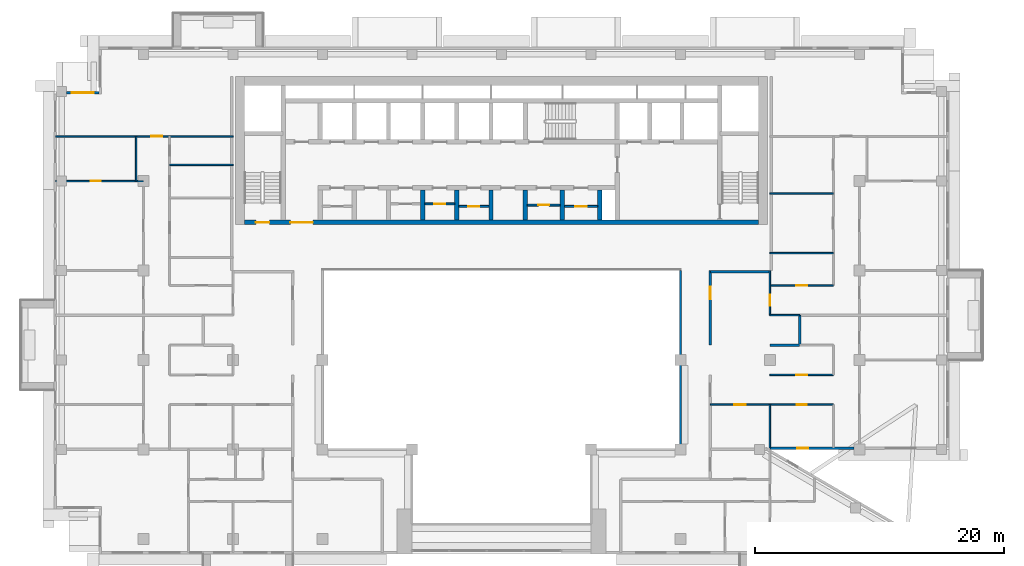
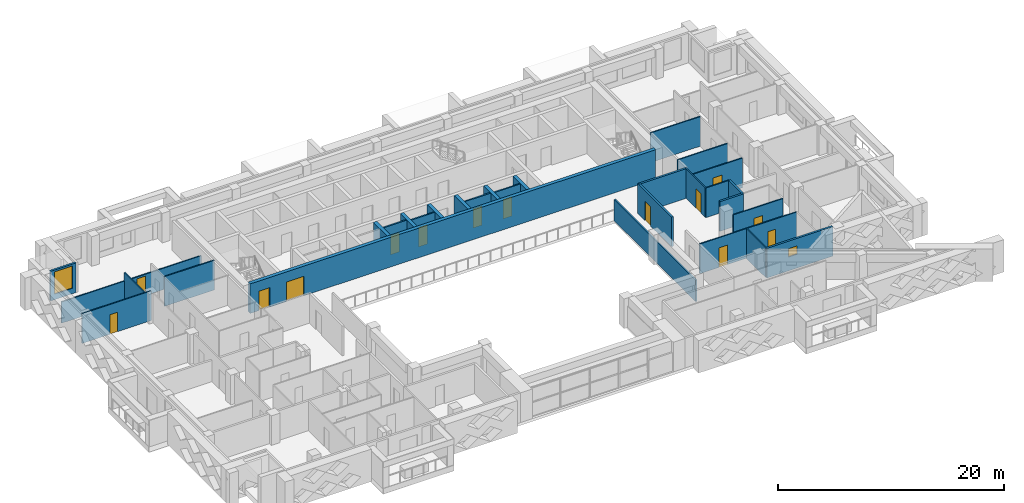
# One storey, part 9 of 20: 30 walls, 14 doors, 2 windows, 16 openings.
"""IFC4 building model written with IfcOpenShell, lengths in metres."""

from ifc_helpers import new_model, si_unit, direction, frame, frame_2d, origin, place, context, subcontext, project, spatial, rectangle, extrude, material, layer, layer_set, type_object, element, fill, save


model = new_model("IFC4")

# Units and contexts
model_context = context("Model", 3, precision=1e-05, world=origin(), true_north=direction((0.0, 1.0)))
body_context = subcontext(model_context, "Body", "Model", "MODEL_VIEW")
ifc_project = project(units=[si_unit("LENGTHUNIT", "METRE"), si_unit("AREAUNIT", "SQUARE_METRE"), si_unit("VOLUMEUNIT", "CUBIC_METRE"), si_unit("PLANEANGLEUNIT", "RADIAN"), si_unit("MASSUNIT", "GRAM", prefix="KILO")], contexts=[model_context])

# Site, building, storey
site_placement = place(None, origin())
site = spatial("IfcSite", under=ifc_project, at=site_placement, CompositionType="ELEMENT")
building_placement = place(site_placement, origin())
building = spatial("IfcBuilding", under=site, at=building_placement, Name="Saffron Iwan Residences", CompositionType="ELEMENT")
storey_placement = place(building_placement, frame((0.0, 0.0, 181.5)))
storey = spatial("IfcBuildingStorey", under=building, at=storey_placement, Name="L48", CompositionType="ELEMENT", Elevation=181.5)

# Wall
ifc_material_1 = material(Name="Fire-rated glazing", Category="glass")
ifc_layer_1 = layer(ifc_material_1, 0.14990234375)
ifc_layer_set_1 = layer_set([ifc_layer_1], Name="Fire-rated glazing")
wall_type_1 = type_object("IfcWallType", Name="Atrium glazed screen 150", PredefinedType="SOLIDWALL", material=ifc_layer_set_1)
wall_1_placement = place(storey_placement, frame((64.800048828125, 48.0, 0.0), z_axis=(0.0, 0.0, 1.0), x_axis=(0.0, 1.0, 0.0)))
element("IfcWall", 1, at=wall_1_placement, inside=storey, type_object=wall_type_1, Name="W-L48-SCREEN-v64.8-48", PredefinedType="SOLIDWALL", context=body_context, shape_type="SweptSolid", body=[
    extrude(rectangle(XDim=14.39990234375, YDim=0.14990234375, at=frame_2d((7.199951171875, 0.0))), origin(), (0.0, 0.0, 1.0), 2.300048828125),
])

# Wall, opening, door
ifc_material_2 = material(Name="Fire-rated plasterboard partition")
ifc_layer_2 = layer(ifc_material_2, 0.14990234375)
ifc_layer_set_2 = layer_set([ifc_layer_2], Name="Fire-rated plasterboard partition")
wall_type_2 = type_object("IfcWallType", Name="Core partition 150", PredefinedType="PARTITIONING", material=ifc_layer_set_2)
wall_2_placement = place(storey_placement, frame((44.22509765625, 67.759521484375, 0.0), z_axis=(0.0, 0.0, 1.0), x_axis=(1.0, 0.0, 0.0)))
wall_2 = element("IfcWall", 2, at=wall_2_placement, inside=storey, type_object=wall_type_2, Name="Core partition P03", PredefinedType="PARTITIONING", context=body_context, shape_type="SweptSolid", body=[
    extrude(rectangle(XDim=2.39990234375, YDim=0.14990234375, at=frame_2d((1.199951171875, 0.0))), origin(), (0.0, 0.0, 1.0), 3.199951171875),
])
opening_1_placement = place(wall_2_placement, frame((0.75, 0.0, 0.0)))
opening_1 = element("IfcOpeningElement", 3, at=opening_1_placement, cuts=wall_2, Name="Opening SB", PredefinedType="OPENING", context=body_context, shape_type="SweptSolid", body=[
    extrude(rectangle(XDim=0.89990234375, YDim=2.10009765625, at=frame_2d((0.449951171875, 1.050048828125))), frame((0.0, 0.0849609375, 0.0), z_axis=(0.0, -1.0, 0.0), x_axis=(1.0, 0.0, 0.0)), (0.0, 0.0, 1.0), 0.169921875),
])
ifc_material_3 = material(Name="Steel fire door", Category="steel")
door_type_1 = type_object("IfcDoorType", Name="Store door 900", OperationType="NOTDEFINED", PredefinedType="DOOR", material=ifc_material_3)
door_1_placement = place(opening_1_placement, origin())
door_1 = element("IfcDoor", 4, at=door_1_placement, inside=storey, type_object=door_type_1, Name="Door Battery room", OperationType="SINGLE_SWING_RIGHT", OverallHeight=2.10009765625, OverallWidth=0.89990234375, PredefinedType="DOOR", context=body_context, shape_type="SweptSolid", body=[
    extrude(rectangle(XDim=0.89990234375, YDim=2.10009765625, at=frame_2d((0.449951171875, 1.050048828125))), frame((0.0, 0.02490234375, 0.0), z_axis=(0.0, -1.0, 0.0), x_axis=(1.0, 0.0, 0.0)), (0.0, 0.0, 1.0), 0.050048828125),
])
fill(opening_1, door_1)

wall_3_placement = place(storey_placement, frame((46.97509765625, 67.5654296875, 0.0), z_axis=(0.0, 0.0, 1.0), x_axis=(1.0, 0.0, 0.0)))
wall_3 = element("IfcWall", 5, at=wall_3_placement, inside=storey, type_object=wall_type_2, Name="Core partition P04", PredefinedType="PARTITIONING", context=body_context, shape_type="SweptSolid", body=[
    extrude(rectangle(XDim=2.39990234375, YDim=0.14990234375, at=frame_2d((1.199951171875, 0.0))), origin(), (0.0, 0.0, 1.0), 3.199951171875),
])
opening_2_placement = place(wall_3_placement, frame((0.75, 0.0, 0.0)))
opening_2 = element("IfcOpeningElement", 6, at=opening_2_placement, cuts=wall_3, Name="Opening SB", PredefinedType="OPENING", context=body_context, shape_type="SweptSolid", body=[
    extrude(rectangle(XDim=0.89990234375, YDim=2.10009765625, at=frame_2d((0.449951171875, 1.050048828125))), frame((0.0, 0.0849609375, 0.0), z_axis=(0.0, -1.0, 0.0), x_axis=(1.0, 0.0, 0.0)), (0.0, 0.0, 1.0), 0.169921875),
])
door_2_placement = place(opening_2_placement, origin())
door_2 = element("IfcDoor", 7, at=door_2_placement, inside=storey, type_object=door_type_1, Name="Door Records store", OperationType="SINGLE_SWING_RIGHT", OverallHeight=2.10009765625, OverallWidth=0.89990234375, PredefinedType="DOOR", context=body_context, shape_type="SweptSolid", body=[
    extrude(rectangle(XDim=0.89990234375, YDim=2.10009765625, at=frame_2d((0.449951171875, 1.050048828125))), frame((0.0, 0.02490234375, 0.0), z_axis=(0.0, -1.0, 0.0), x_axis=(1.0, 0.0, 0.0)), (0.0, 0.0, 1.0), 0.050048828125),
])
fill(opening_2, door_2)

wall_4_placement = place(storey_placement, frame((52.47509765625, 67.66259765625, 0.0), z_axis=(0.0, 0.0, 1.0), x_axis=(1.0, 0.0, 0.0)))
wall_4 = element("IfcWall", 8, at=wall_4_placement, inside=storey, type_object=wall_type_2, Name="Core partition P05", PredefinedType="PARTITIONING", context=body_context, shape_type="SweptSolid", body=[
    extrude(rectangle(XDim=2.64990234375, YDim=0.14990234375, at=frame_2d((1.324951171875, 0.0))), origin(), (0.0, 0.0, 1.0), 3.199951171875),
])
opening_3_placement = place(wall_4_placement, frame((0.875, 0.0, 0.0)))
opening_3 = element("IfcOpeningElement", 9, at=opening_3_placement, cuts=wall_4, Name="Opening SB", PredefinedType="OPENING", context=body_context, shape_type="SweptSolid", body=[
    extrude(rectangle(XDim=0.89990234375, YDim=2.10009765625, at=frame_2d((0.449951171875, 1.050048828125))), frame((0.0, 0.0849609375, 0.0), z_axis=(0.0, -1.0, 0.0), x_axis=(1.0, 0.0, 0.0)), (0.0, 0.0, 1.0), 0.169921875),
])
door_3_placement = place(opening_3_placement, origin())
door_3 = element("IfcDoor", 10, at=door_3_placement, inside=storey, type_object=door_type_1, Name="Door Mop store", OperationType="SINGLE_SWING_LEFT", OverallHeight=2.10009765625, OverallWidth=0.89990234375, PredefinedType="DOOR", context=body_context, shape_type="SweptSolid", body=[
    extrude(rectangle(XDim=0.89990234375, YDim=2.10009765625, at=frame_2d((0.449951171875, 1.050048828125))), frame((0.0, 0.02490234375, 0.0), z_axis=(0.0, -1.0, 0.0), x_axis=(1.0, 0.0, 0.0)), (0.0, 0.0, 1.0), 0.050048828125),
])
fill(opening_3, door_3)

wall_5_placement = place(storey_placement, frame((55.47509765625, 67.5654296875, 0.0), z_axis=(0.0, 0.0, 1.0), x_axis=(1.0, 0.0, 0.0)))
wall_5 = element("IfcWall", 11, at=wall_5_placement, inside=storey, type_object=wall_type_2, Name="Core partition P06", PredefinedType="PARTITIONING", context=body_context, shape_type="SweptSolid", body=[
    extrude(rectangle(XDim=2.64990234375, YDim=0.14990234375, at=frame_2d((1.324951171875, 0.0))), origin(), (0.0, 0.0, 1.0), 3.199951171875),
])
opening_4_placement = place(wall_5_placement, frame((0.875, 0.0, 0.0)))
opening_4 = element("IfcOpeningElement", 12, at=opening_4_placement, cuts=wall_5, Name="Opening SB", PredefinedType="OPENING", context=body_context, shape_type="SweptSolid", body=[
    extrude(rectangle(XDim=0.89990234375, YDim=2.10009765625, at=frame_2d((0.449951171875, 1.050048828125))), frame((0.0, 0.0849609375, 0.0), z_axis=(0.0, -1.0, 0.0), x_axis=(1.0, 0.0, 0.0)), (0.0, 0.0, 1.0), 0.169921875),
])
door_4_placement = place(opening_4_placement, origin())
door_4 = element("IfcDoor", 13, at=door_4_placement, inside=storey, type_object=door_type_1, Name="Door Spares store", OperationType="SINGLE_SWING_RIGHT", OverallHeight=2.10009765625, OverallWidth=0.89990234375, PredefinedType="DOOR", context=body_context, shape_type="SweptSolid", body=[
    extrude(rectangle(XDim=0.89990234375, YDim=2.10009765625, at=frame_2d((0.449951171875, 1.050048828125))), frame((0.0, 0.02490234375, 0.0), z_axis=(0.0, -1.0, 0.0), x_axis=(1.0, 0.0, 0.0)), (0.0, 0.0, 1.0), 0.050048828125),
])
fill(opening_4, door_4)

# Wall, opening, window
ifc_material_4 = material(Name="Concrete C40/50", Category="concrete")
ifc_layer_3 = layer(ifc_material_4, 0.199951171875)
ifc_layer_set_3 = layer_set([ifc_layer_3], Name="Concrete C40/50")
wall_type_3 = type_object("IfcWallType", Name="EXTERNAL WALL 200", PredefinedType="SOLIDWALL", material=ifc_layer_set_3)
wall_6_placement = place(storey_placement, frame((71.989990234375, 48.10009765625, 0.0), z_axis=(0.0, 0.0, 1.0), x_axis=(1.0, 0.0, 0.0)))
wall_6 = element("IfcWall", 14, at=wall_6_placement, inside=storey, type_object=wall_type_3, Name="External wall L48 F1.0", PredefinedType="SOLIDWALL", context=body_context, shape_type="SweptSolid", body=[
    extrude(rectangle(XDim=6.760009765625, YDim=0.199951171875, at=frame_2d((3.3798828125, 0.0))), origin(), (0.0, 0.0, 1.0), 3.199951171875),
])
opening_5_placement = place(wall_6_placement, frame((2.204833984375, 0.0, 1.5)))
opening_5 = element("IfcOpeningElement", 15, at=opening_5_placement, cuts=wall_6, Name="Opening W6", PredefinedType="OPENING", context=body_context, shape_type="SweptSolid", body=[
    extrude(rectangle(XDim=0.89990234375, YDim=0.89990234375, at=frame_2d((0.449951171875, 0.449951171875))), frame((0.0, 0.10986328125, 0.0), z_axis=(0.0, -1.0, 0.0), x_axis=(1.0, 0.0, 0.0)), (0.0, 0.0, 1.0), 0.219970703125),
])
ifc_material_5 = material(Name="Clear glass, laminated double glazed", Category="glass")
window_type_1 = type_object("IfcWindowType", Name="WINDOW 900 x 900 BATH", PartitioningType="SINGLE_PANEL", PredefinedType="WINDOW", material=ifc_material_5)
window_1_placement = place(opening_5_placement, origin())
window_1 = element("IfcWindow", 16, at=window_1_placement, inside=storey, type_object=window_type_1, Name="Window L48 F1.0", OverallHeight=0.89990234375, OverallWidth=0.89990234375, PartitioningType="SINGLE_PANEL", PredefinedType="WINDOW", context=body_context, shape_type="SweptSolid", body=[
    extrude(rectangle(XDim=0.89990234375, YDim=0.89990234375, at=frame_2d((0.449951171875, 0.449951171875))), frame((0.0, 0.030029296875, 0.0), z_axis=(0.0, -1.0, 0.0), x_axis=(1.0, 0.0, 0.0)), (0.0, 0.0, 1.0), 0.06005859375),
])
fill(opening_5, window_1)

wall_7_placement = place(storey_placement, frame((18.0, 76.699951171875, 0.0), z_axis=(0.0, 0.0, 1.0), x_axis=(-1.0, 0.0, 0.0)))
wall_7 = element("IfcWall", 17, at=wall_7_placement, inside=storey, type_object=wall_type_3, Name="External wall L48 F7.0", PredefinedType="SOLIDWALL", context=body_context, shape_type="SweptSolid", body=[
    extrude(rectangle(XDim=2.60009765625, YDim=0.199951171875, at=frame_2d((1.300048828125, 0.0))), origin(), (0.0, 0.0, 1.0), 3.199951171875),
])
opening_6_placement = place(wall_7_placement, frame((0.39990234375, 0.0, 0.60009765625)))
opening_6 = element("IfcOpeningElement", 18, at=opening_6_placement, cuts=wall_7, Name="Opening W8", PredefinedType="OPENING", context=body_context, shape_type="SweptSolid", body=[
    extrude(rectangle(XDim=1.800048828125, YDim=2.39990234375, at=frame_2d((0.89990234375, 1.199951171875))), frame((0.0, 0.10986328125, 0.0), z_axis=(0.0, -1.0, 0.0), x_axis=(1.0, 0.0, 0.0)), (0.0, 0.0, 1.0), 0.219970703125),
])
window_type_2 = type_object("IfcWindowType", Name="WINDOW 1800 x 2400", PartitioningType="DOUBLE_PANEL_VERTICAL", PredefinedType="WINDOW", material=ifc_material_5)
window_2_placement = place(opening_6_placement, origin())
window_2 = element("IfcWindow", 19, at=window_2_placement, inside=storey, type_object=window_type_2, Name="Window L48 F7.0", OverallHeight=2.39990234375, OverallWidth=1.800048828125, PartitioningType="DOUBLE_PANEL_VERTICAL", PredefinedType="WINDOW", context=body_context, shape_type="SweptSolid", body=[
    extrude(rectangle(XDim=1.800048828125, YDim=2.39990234375, at=frame_2d((0.89990234375, 1.199951171875))), frame((0.0, 0.030029296875, 0.0), z_axis=(0.0, -1.0, 0.0), x_axis=(1.0, 0.0, 0.0)), (0.0, 0.0, 1.0), 0.06005859375),
])
fill(opening_6, window_2)

# Walls
ifc_material_6 = material(Name="Fire-rated gypsum board wall")
ifc_layer_4 = layer(ifc_material_6, 0.199951171875)
ifc_layer_set_4 = layer_set([ifc_layer_4], Name="Fire-rated gypsum board wall")
wall_type_4 = type_object("IfcWallType", Name="Flat demising wall 200", PredefinedType="SOLIDWALL", material=ifc_layer_set_4)
wall_8_placement = place(storey_placement, frame((72.0, 56.39990234375, 0.0), z_axis=(0.0, 0.0, 1.0), x_axis=(1.0, 0.0, 0.0)))
element("IfcWall", 20, at=wall_8_placement, inside=storey, type_object=wall_type_4, Name="W-L48-DEMISE-h56.4-72", PredefinedType="SOLIDWALL", context=body_context, shape_type="SweptSolid", body=[
    extrude(rectangle(XDim=2.39990234375, YDim=0.199951171875, at=frame_2d((1.199951171875, 0.0))), origin(), (0.0, 0.0, 1.0), 3.199951171875),
])
wall_9_placement = place(storey_placement, frame((74.39990234375, 56.39990234375, 0.0), z_axis=(0.0, 0.0, 1.0), x_axis=(0.0, 1.0, 0.0)))
element("IfcWall", 21, at=wall_9_placement, inside=storey, type_object=wall_type_4, Name="W-L48-DEMISE-v74.4-56.4", PredefinedType="SOLIDWALL", context=body_context, shape_type="SweptSolid", body=[
    extrude(rectangle(XDim=2.400146484375, YDim=0.199951171875, at=frame_2d((1.2001953125, 0.0))), origin(), (0.0, 0.0, 1.0), 3.199951171875),
])

# Wall, openings, doors
ifc_material_7 = material(Name="Gypsum board partition")
ifc_layer_5 = layer(ifc_material_7, 0.1201171875)
ifc_layer_set_5 = layer_set([ifc_layer_5], Name="Gypsum board partition")
wall_type_5 = type_object("IfcWallType", Name="Flat partition 120", PredefinedType="PARTITIONING", material=ifc_layer_set_5)
wall_10_placement = place(storey_placement, frame((67.199951171875, 51.60009765625, 0.0), z_axis=(0.0, 0.0, 1.0), x_axis=(1.0, 0.0, 0.0)))
wall_10 = element("IfcWall", 22, at=wall_10_placement, inside=storey, type_object=wall_type_5, Name="W-L48-PART-h51.6-67.2", PredefinedType="PARTITIONING", context=body_context, shape_type="SweptSolid", body=[
    extrude(rectangle(XDim=9.900146484375, YDim=0.1201171875, at=frame_2d((4.9501953125, 0.0))), origin(), (0.0, 0.0, 1.0), 3.199951171875),
])
opening_7_placement = place(wall_10_placement, frame((6.949951171875, 0.0, 0.0)))
opening_7 = element("IfcOpeningElement", 23, at=opening_7_placement, cuts=wall_10, Name="Opening FD3", PredefinedType="OPENING", context=body_context, shape_type="SweptSolid", body=[
    extrude(rectangle(XDim=0.800048828125, YDim=2.10009765625, at=frame_2d((0.39990234375, 1.050048828125))), frame((0.0, 0.070068359375, 0.0), z_axis=(0.0, -1.0, 0.0), x_axis=(1.0, 0.0, 0.0)), (0.0, 0.0, 1.0), 0.14013671875),
])
opening_8_placement = place(wall_10_placement, frame((1.949951171875, 0.0, 0.0)))
opening_8 = element("IfcOpeningElement", 24, at=opening_8_placement, cuts=wall_10, Name="Opening FD2", PredefinedType="OPENING", context=body_context, shape_type="SweptSolid", body=[
    extrude(rectangle(XDim=0.89990234375, YDim=2.10009765625, at=frame_2d((0.449951171875, 1.050048828125))), frame((0.0, 0.070068359375, 0.0), z_axis=(0.0, -1.0, 0.0), x_axis=(1.0, 0.0, 0.0)), (0.0, 0.0, 1.0), 0.14013671875),
])
ifc_material_8 = material(Name="Timber door", Category="wood")
door_type_2 = type_object("IfcDoorType", Name="Bathroom door 800", OperationType="NOTDEFINED", PredefinedType="DOOR", material=ifc_material_8)
door_5_placement = place(opening_7_placement, origin())
door_5 = element("IfcDoor", 25, at=door_5_placement, inside=storey, type_object=door_type_2, Name="Door L48-017", OperationType="SINGLE_SWING_LEFT", OverallHeight=2.10009765625, OverallWidth=0.800048828125, PredefinedType="DOOR", context=body_context, shape_type="SweptSolid", body=[
    extrude(rectangle(XDim=0.800048828125, YDim=2.10009765625, at=frame_2d((0.39990234375, 1.050048828125))), frame((0.0, 0.02490234375, 0.0), z_axis=(0.0, -1.0, 0.0), x_axis=(1.0, 0.0, 0.0)), (0.0, 0.0, 1.0), 0.050048828125),
])
fill(opening_7, door_5)
door_type_3 = type_object("IfcDoorType", Name="Flat door 900", OperationType="NOTDEFINED", PredefinedType="DOOR", material=ifc_material_8)
door_6_placement = place(opening_8_placement, origin())
door_6 = element("IfcDoor", 26, at=door_6_placement, inside=storey, type_object=door_type_3, Name="Door L48-019", OperationType="SINGLE_SWING_RIGHT", OverallHeight=2.10009765625, OverallWidth=0.89990234375, PredefinedType="DOOR", context=body_context, shape_type="SweptSolid", body=[
    extrude(rectangle(XDim=0.89990234375, YDim=2.10009765625, at=frame_2d((0.449951171875, 1.050048828125))), frame((0.0, 0.02490234375, 0.0), z_axis=(0.0, -1.0, 0.0), x_axis=(1.0, 0.0, 0.0)), (0.0, 0.0, 1.0), 0.050048828125),
])
fill(opening_8, door_6)

# Wall, opening, door
wall_11_placement = place(storey_placement, frame((72.0, 54.0, 0.0), z_axis=(0.0, 0.0, 1.0), x_axis=(1.0, 0.0, 0.0)))
wall_11 = element("IfcWall", 27, at=wall_11_placement, inside=storey, type_object=wall_type_5, Name="W-L48-PART-h54-72", PredefinedType="PARTITIONING", context=body_context, shape_type="SweptSolid", body=[
    extrude(rectangle(XDim=5.10009765625, YDim=0.1201171875, at=frame_2d((2.550048828125, 0.0))), origin(), (0.0, 0.0, 1.0), 3.199951171875),
])
opening_9_placement = place(wall_11_placement, frame((2.10009765625, 0.0, 0.0)))
opening_9 = element("IfcOpeningElement", 28, at=opening_9_placement, cuts=wall_11, Name="Opening FD2", PredefinedType="OPENING", context=body_context, shape_type="SweptSolid", body=[
    extrude(rectangle(XDim=0.89990234375, YDim=2.10009765625, at=frame_2d((0.449951171875, 1.050048828125))), frame((0.0, 0.070068359375, 0.0), z_axis=(0.0, -1.0, 0.0), x_axis=(1.0, 0.0, 0.0)), (0.0, 0.0, 1.0), 0.14013671875),
])
door_7_placement = place(opening_9_placement, origin())
door_7 = element("IfcDoor", 29, at=door_7_placement, inside=storey, type_object=door_type_3, Name="Door L48-018", OperationType="SINGLE_SWING_LEFT", OverallHeight=2.10009765625, OverallWidth=0.89990234375, PredefinedType="DOOR", context=body_context, shape_type="SweptSolid", body=[
    extrude(rectangle(XDim=0.89990234375, YDim=2.10009765625, at=frame_2d((0.449951171875, 1.050048828125))), frame((0.0, 0.02490234375, 0.0), z_axis=(0.0, -1.0, 0.0), x_axis=(1.0, 0.0, 0.0)), (0.0, 0.0, 1.0), 0.050048828125),
])
fill(opening_9, door_7)

# Wall
wall_12_placement = place(storey_placement, frame((72.0, 58.800048828125, 0.0), z_axis=(0.0, 0.0, 1.0), x_axis=(1.0, 0.0, 0.0)))
element("IfcWall", 30, at=wall_12_placement, inside=storey, type_object=wall_type_5, Name="W-L48-PART-h58.8-72", PredefinedType="PARTITIONING", context=body_context, shape_type="SweptSolid", body=[
    extrude(rectangle(XDim=2.39990234375, YDim=0.1201171875, at=frame_2d((1.199951171875, 0.0))), origin(), (0.0, 0.0, 1.0), 3.199951171875),
])

# Wall, opening, door
wall_13_placement = place(storey_placement, frame((72.0, 61.199951171875, 0.0), z_axis=(0.0, 0.0, 1.0), x_axis=(1.0, 0.0, 0.0)))
wall_13 = element("IfcWall", 31, at=wall_13_placement, inside=storey, type_object=wall_type_5, Name="W-L48-PART-h61.2-72", PredefinedType="PARTITIONING", context=body_context, shape_type="SweptSolid", body=[
    extrude(rectangle(XDim=5.10009765625, YDim=0.1201171875, at=frame_2d((2.550048828125, 0.0))), origin(), (0.0, 0.0, 1.0), 3.199951171875),
])
opening_10_placement = place(wall_13_placement, frame((2.10009765625, 0.0, 0.0)))
opening_10 = element("IfcOpeningElement", 32, at=opening_10_placement, cuts=wall_13, Name="Opening FD2", PredefinedType="OPENING", context=body_context, shape_type="SweptSolid", body=[
    extrude(rectangle(XDim=0.89990234375, YDim=2.10009765625, at=frame_2d((0.449951171875, 1.050048828125))), frame((0.0, 0.070068359375, 0.0), z_axis=(0.0, -1.0, 0.0), x_axis=(1.0, 0.0, 0.0)), (0.0, 0.0, 1.0), 0.14013671875),
])
door_8_placement = place(opening_10_placement, origin())
door_8 = element("IfcDoor", 33, at=door_8_placement, inside=storey, type_object=door_type_3, Name="Door L48-036", OperationType="SINGLE_SWING_LEFT", OverallHeight=2.10009765625, OverallWidth=0.89990234375, PredefinedType="DOOR", context=body_context, shape_type="SweptSolid", body=[
    extrude(rectangle(XDim=0.89990234375, YDim=2.10009765625, at=frame_2d((0.449951171875, 1.050048828125))), frame((0.0, 0.02490234375, 0.0), z_axis=(0.0, -1.0, 0.0), x_axis=(1.0, 0.0, 0.0)), (0.0, 0.0, 1.0), 0.050048828125),
])
fill(opening_10, door_8)

# Walls
for number, where, z_axis, x_axis, name in (
    (34, (72.0, 63.800048828125, 0.0), (0.0, 0.0, 1.0), (1.0, 0.0, 0.0), "W-L48-PART-h63.8-72"),
    (35, (72.0, 68.60009765625, 0.0), (0.0, 0.0, 1.0), (1.0, 0.0, 0.0), "W-L48-PART-h68.6-72"),
):
    element("IfcWall", number, at=place(storey_placement, frame(where, z_axis=z_axis, x_axis=x_axis)), inside=storey, type_object=wall_type_5, Name=name, PredefinedType="PARTITIONING", context=body_context, shape_type="SweptSolid", body=[
        extrude(rectangle(XDim=5.10009765625, YDim=0.1201171875, at=frame_2d((2.550048828125, 0.0))), origin(), (0.0, 0.0, 1.0), 3.199951171875),
    ])

# Wall, opening, door
wall_14_placement = place(storey_placement, frame((14.52490234375, 69.60009765625, 0.0), z_axis=(0.0, 0.0, 1.0), x_axis=(1.0, 0.0, 0.0)))
wall_14 = element("IfcWall", 36, at=wall_14_placement, inside=storey, type_object=wall_type_5, Name="W-L48-PART-h69.6-14.525", PredefinedType="PARTITIONING", context=body_context, shape_type="SweptSolid", body=[
    extrude(rectangle(XDim=7.0751953125, YDim=0.1201171875, at=frame_2d((3.53759765625, 0.0))), origin(), (0.0, 0.0, 1.0), 3.199951171875),
])
opening_11_placement = place(wall_14_placement, frame((2.83740234375, 0.0, 0.0)))
opening_11 = element("IfcOpeningElement", 37, at=opening_11_placement, cuts=wall_14, Name="Opening FD3", PredefinedType="OPENING", context=body_context, shape_type="SweptSolid", body=[
    extrude(rectangle(XDim=0.800048828125, YDim=2.10009765625, at=frame_2d((0.39990234375, 1.050048828125))), frame((0.0, 0.070068359375, 0.0), z_axis=(0.0, -1.0, 0.0), x_axis=(1.0, 0.0, 0.0)), (0.0, 0.0, 1.0), 0.14013671875),
])
door_9_placement = place(opening_11_placement, origin())
door_9 = element("IfcDoor", 38, at=door_9_placement, inside=storey, type_object=door_type_2, Name="Door L48-024", OperationType="SINGLE_SWING_LEFT", OverallHeight=2.10009765625, OverallWidth=0.800048828125, PredefinedType="DOOR", context=body_context, shape_type="SweptSolid", body=[
    extrude(rectangle(XDim=0.800048828125, YDim=2.10009765625, at=frame_2d((0.39990234375, 1.050048828125))), frame((0.0, 0.02490234375, 0.0), z_axis=(0.0, -1.0, 0.0), x_axis=(1.0, 0.0, 0.0)), (0.0, 0.0, 1.0), 0.050048828125),
])
fill(opening_11, door_9)

# Wall
wall_15_placement = place(storey_placement, frame((23.699951171875, 70.89990234375, 0.0), z_axis=(0.0, 0.0, 1.0), x_axis=(1.0, 0.0, 0.0)))
element("IfcWall", 39, at=wall_15_placement, inside=storey, type_object=wall_type_5, Name="W-L48-PART-h70.9-23.7", PredefinedType="PARTITIONING", context=body_context, shape_type="SweptSolid", body=[
    extrude(rectangle(XDim=5.10009765625, YDim=0.1201171875, at=frame_2d((2.550048828125, 0.0))), origin(), (0.0, 0.0, 1.0), 3.199951171875),
])

# Wall, opening, door
wall_16_placement = place(storey_placement, frame((14.52490234375, 73.199951171875, 0.0), z_axis=(0.0, 0.0, 1.0), x_axis=(1.0, 0.0, 0.0)))
wall_16 = element("IfcWall", 40, at=wall_16_placement, inside=storey, type_object=wall_type_5, Name="W-L48-PART-h73.2-14.525", PredefinedType="PARTITIONING", context=body_context, shape_type="SweptSolid", body=[
    extrude(rectangle(XDim=14.275146484375, YDim=0.1201171875, at=frame_2d((7.1376953125, 0.0))), origin(), (0.0, 0.0, 1.0), 2.300048828125),
])
opening_12_placement = place(wall_16_placement, frame((7.675048828125, 0.0, 0.0)))
opening_12 = element("IfcOpeningElement", 41, at=opening_12_placement, cuts=wall_16, Name="Opening FD2", PredefinedType="OPENING", context=body_context, shape_type="SweptSolid", body=[
    extrude(rectangle(XDim=0.89990234375, YDim=2.10009765625, at=frame_2d((0.449951171875, 1.050048828125))), frame((0.0, 0.070068359375, 0.0), z_axis=(0.0, -1.0, 0.0), x_axis=(1.0, 0.0, 0.0)), (0.0, 0.0, 1.0), 0.14013671875),
])
door_10_placement = place(opening_12_placement, origin())
door_10 = element("IfcDoor", 42, at=door_10_placement, inside=storey, type_object=door_type_3, Name="Door L48-025", OperationType="SINGLE_SWING_RIGHT", OverallHeight=2.10009765625, OverallWidth=0.89990234375, PredefinedType="DOOR", context=body_context, shape_type="SweptSolid", body=[
    extrude(rectangle(XDim=0.89990234375, YDim=2.10009765625, at=frame_2d((0.449951171875, 1.050048828125))), frame((0.0, 0.02490234375, 0.0), z_axis=(0.0, -1.0, 0.0), x_axis=(1.0, 0.0, 0.0)), (0.0, 0.0, 1.0), 0.050048828125),
])
fill(opening_12, door_10)

# Walls
wall_17_placement = place(storey_placement, frame((21.0, 69.60009765625, 0.0), z_axis=(0.0, 0.0, 1.0), x_axis=(0.0, 1.0, 0.0)))
element("IfcWall", 43, at=wall_17_placement, inside=storey, type_object=wall_type_5, Name="W-L48-PART-v21-69.6", PredefinedType="PARTITIONING", context=body_context, shape_type="SweptSolid", body=[
    extrude(rectangle(XDim=3.599853515625, YDim=0.1201171875, at=frame_2d((1.7998046875, 0.0))), origin(), (0.0, 0.0, 1.0), 3.199951171875),
])
wall_18_placement = place(storey_placement, frame((72.0, 48.125, 0.0), z_axis=(0.0, 0.0, 1.0), x_axis=(0.0, 1.0, 0.0)))
element("IfcWall", 44, at=wall_18_placement, inside=storey, type_object=wall_type_5, Name="W-L48-PART-v72-48.125", PredefinedType="PARTITIONING", context=body_context, shape_type="SweptSolid", body=[
    extrude(rectangle(XDim=3.47509765625, YDim=0.1201171875, at=frame_2d((1.737548828125, 0.0))), origin(), (0.0, 0.0, 1.0), 3.199951171875),
])

# Wall, opening, door
wall_19_placement = place(storey_placement, frame((72.0, 58.800048828125, 0.0), z_axis=(0.0, 0.0, 1.0), x_axis=(0.0, 1.0, 0.0)))
wall_19 = element("IfcWall", 45, at=wall_19_placement, inside=storey, type_object=wall_type_5, Name="W-L48-PART-v72-58.8", PredefinedType="PARTITIONING", context=body_context, shape_type="SweptSolid", body=[
    extrude(rectangle(XDim=3.599853515625, YDim=0.1201171875, at=frame_2d((1.7998046875, 0.0))), origin(), (0.0, 0.0, 1.0), 3.199951171875),
])
opening_13_placement = place(wall_19_placement, frame((0.75, 0.0, 0.0)))
opening_13 = element("IfcOpeningElement", 46, at=opening_13_placement, cuts=wall_19, Name="Opening FD2", PredefinedType="OPENING", context=body_context, shape_type="SweptSolid", body=[
    extrude(rectangle(XDim=0.89990234375, YDim=2.10009765625, at=frame_2d((0.449951171875, 1.050048828125))), frame((0.0, 0.070068359375, 0.0), z_axis=(0.0, -1.0, 0.0), x_axis=(1.0, 0.0, 0.0)), (0.0, 0.0, 1.0), 0.14013671875),
])
door_11_placement = place(opening_13_placement, origin())
door_11 = element("IfcDoor", 47, at=door_11_placement, inside=storey, type_object=door_type_3, Name="Door L48-030", OperationType="SINGLE_SWING_LEFT", OverallHeight=2.10009765625, OverallWidth=0.89990234375, PredefinedType="DOOR", context=body_context, shape_type="SweptSolid", body=[
    extrude(rectangle(XDim=0.89990234375, YDim=2.10009765625, at=frame_2d((0.449951171875, 1.050048828125))), frame((0.0, 0.02490234375, 0.0), z_axis=(0.0, -1.0, 0.0), x_axis=(1.0, 0.0, 0.0)), (0.0, 0.0, 1.0), 0.050048828125),
])
fill(opening_13, door_11)

# Wall
ifc_layer_6 = layer(ifc_material_6, 0.199951171875)
ifc_layer_set_6 = layer_set([ifc_layer_6], Name="Fire-rated gypsum board wall")
wall_type_6 = type_object("IfcWallType", Name="Gallery wall 200", PredefinedType="SOLIDWALL", material=ifc_layer_set_6)
wall_20_placement = place(storey_placement, frame((67.199951171875, 62.300048828125, 0.0), z_axis=(0.0, 0.0, 1.0), x_axis=(1.0, 0.0, 0.0)))
element("IfcWall", 48, at=wall_20_placement, inside=storey, type_object=wall_type_6, Name="W-L48-CORR-h62.4-67.2", PredefinedType="SOLIDWALL", context=body_context, shape_type="SweptSolid", body=[
    extrude(rectangle(XDim=4.800048828125, YDim=0.199951171875, at=frame_2d((2.39990234375, 0.0))), origin(), (0.0, 0.0, 1.0), 3.199951171875),
])

# Wall, opening, door
wall_21_placement = place(storey_placement, frame((67.199951171875, 56.39990234375, 0.0), z_axis=(0.0, 0.0, 1.0), x_axis=(0.0, 1.0, 0.0)))
wall_21 = element("IfcWall", 49, at=wall_21_placement, inside=storey, type_object=wall_type_6, Name="W-L48-CORR-v67.2-56.4", PredefinedType="SOLIDWALL", context=body_context, shape_type="SweptSolid", body=[
    extrude(rectangle(XDim=6.0, YDim=0.199951171875, at=frame_2d((3.0, 0.0))), origin(), (0.0, 0.0, 1.0), 3.199951171875),
])
opening_14_placement = place(wall_21_placement, frame((3.699951171875, 0.0, 0.0)))
opening_14 = element("IfcOpeningElement", 50, at=opening_14_placement, cuts=wall_21, Name="Opening FD5", PredefinedType="OPENING", context=body_context, shape_type="SweptSolid", body=[
    extrude(rectangle(XDim=1.0, YDim=2.10009765625, at=frame_2d((0.5, 1.050048828125))), frame((0.0, 0.10986328125, 0.0), z_axis=(0.0, -1.0, 0.0), x_axis=(1.0, 0.0, 0.0)), (0.0, 0.0, 1.0), 0.219970703125),
])
ifc_material_9 = material(Name="Fire-rated timber door", Category="wood")
door_type_4 = type_object("IfcDoorType", Name="Lobby door 1000", OperationType="NOTDEFINED", PredefinedType="DOOR", material=ifc_material_9)
door_12_placement = place(opening_14_placement, origin())
door_12 = element("IfcDoor", 51, at=door_12_placement, inside=storey, type_object=door_type_4, Name="Door L48-031", OperationType="SINGLE_SWING_RIGHT", OverallHeight=2.10009765625, OverallWidth=1.0, PredefinedType="DOOR", context=body_context, shape_type="SweptSolid", body=[
    extrude(rectangle(XDim=1.0, YDim=2.10009765625, at=frame_2d((0.5, 1.050048828125))), frame((0.0, 0.02490234375, 0.0), z_axis=(0.0, -1.0, 0.0), x_axis=(1.0, 0.0, 0.0)), (0.0, 0.0, 1.0), 0.050048828125),
])
fill(opening_14, door_12)

# Wall, openings, doors
ifc_material_10 = material(Name="Concrete C50/60", Category="concrete")
ifc_layer_7 = layer(ifc_material_10, 0.35009765625)
ifc_layer_set_7 = layer_set([ifc_layer_7], Name="Concrete C50/60")
wall_type_7 = type_object("IfcWallType", Name="WALL CORE 350 C50/60 3200 HIGH", PredefinedType="SHEAR", material=ifc_layer_set_7)
wall_22_placement = place(storey_placement, frame((29.699951171875, 66.27490234375, 0.0), z_axis=(0.0, 0.0, 1.0), x_axis=(1.0, 0.0, 0.0)))
wall_22 = element("IfcWall", 52, at=wall_22_placement, inside=storey, type_object=wall_type_7, Name="Core wall", PredefinedType="SHEAR", context=body_context, shape_type="SweptSolid", body=[
    extrude(rectangle(XDim=41.400146484375, YDim=0.35009765625, at=frame_2d((20.7001953125, 0.0))), origin(), (0.0, 0.0, 1.0), 3.199951171875),
])
opening_15_placement = place(wall_22_placement, frame((0.925048828125, 0.0, 0.0)))
opening_15 = element("IfcOpeningElement", 53, at=opening_15_placement, cuts=wall_22, Name="Opening SD", PredefinedType="OPENING", context=body_context, shape_type="SweptSolid", body=[
    extrude(rectangle(XDim=1.10009765625, YDim=2.10009765625, at=frame_2d((0.550048828125, 1.050048828125))), frame((0.0, 0.18505859375, 0.0), z_axis=(0.0, -1.0, 0.0), x_axis=(1.0, 0.0, 0.0)), (0.0, 0.0, 1.0), 0.3701171875),
])
opening_16_placement = place(wall_22_placement, frame((3.71240234375, 0.0, 0.0)))
opening_16 = element("IfcOpeningElement", 54, at=opening_16_placement, cuts=wall_22, Name="Opening DD", PredefinedType="OPENING", context=body_context, shape_type="SweptSolid", body=[
    extrude(rectangle(XDim=1.800048828125, YDim=2.10009765625, at=frame_2d((0.89990234375, 1.050048828125))), frame((0.0, 0.18505859375, 0.0), z_axis=(0.0, -1.0, 0.0), x_axis=(1.0, 0.0, 0.0)), (0.0, 0.0, 1.0), 0.3701171875),
])
door_type_5 = type_object("IfcDoorType", Name="Lobby double door 1800", OperationType="DOUBLE_DOOR_SINGLE_SWING", PredefinedType="DOOR", material=ifc_material_3)
door_13_placement = place(opening_16_placement, origin())
door_13 = element("IfcDoor", 55, at=door_13_placement, inside=storey, type_object=door_type_5, Name="Lobby doors", OperationType="DOUBLE_DOOR_SINGLE_SWING", OverallHeight=2.10009765625, OverallWidth=1.800048828125, PredefinedType="DOOR", context=body_context, shape_type="SweptSolid", body=[
    extrude(rectangle(XDim=1.800048828125, YDim=2.10009765625, at=frame_2d((0.89990234375, 1.050048828125))), frame((0.0, 0.02490234375, 0.0), z_axis=(0.0, -1.0, 0.0), x_axis=(1.0, 0.0, 0.0)), (0.0, 0.0, 1.0), 0.050048828125),
])
fill(opening_16, door_13)
door_type_6 = type_object("IfcDoorType", Name="Stair door 1100", OperationType="NOTDEFINED", PredefinedType="DOOR", material=ifc_material_3)
door_14_placement = place(opening_15_placement, origin())
door_14 = element("IfcDoor", 56, at=door_14_placement, inside=storey, type_object=door_type_6, Name="Stair door ST-W", OperationType="SINGLE_SWING_LEFT", OverallHeight=2.10009765625, OverallWidth=1.10009765625, PredefinedType="DOOR", context=body_context, shape_type="SweptSolid", body=[
    extrude(rectangle(XDim=1.10009765625, YDim=2.10009765625, at=frame_2d((0.550048828125, 1.050048828125))), frame((0.0, 0.02490234375, 0.0), z_axis=(0.0, -1.0, 0.0), x_axis=(1.0, 0.0, 0.0)), (0.0, 0.0, 1.0), 0.050048828125),
])
fill(opening_15, door_14)

# Walls
for number, where, z_axis, x_axis, name in (
    (57, (44.050048828125, 66.449951171875, 0.0), (0.0, 0.0, 1.0), (0.0, 1.0, 0.0), "Core wall"),
    (58, (46.800048828125, 66.449951171875, 0.0), (0.0, 0.0, 1.0), (0.0, 1.0, 0.0), "Core wall"),
    (59, (49.550048828125, 66.449951171875, 0.0), (0.0, 0.0, 1.0), (0.0, 1.0, 0.0), "Core wall"),
    (60, (52.300048828125, 66.449951171875, 0.0), (0.0, 0.0, 1.0), (0.0, 1.0, 0.0), "Core wall"),
    (61, (55.300048828125, 66.449951171875, 0.0), (0.0, 0.0, 1.0), (0.0, 1.0, 0.0), "Core wall"),
    (62, (58.300048828125, 66.449951171875, 0.0), (0.0, 0.0, 1.0), (0.0, 1.0, 0.0), "Core wall"),
):
    element("IfcWall", number, at=place(storey_placement, frame(where, z_axis=z_axis, x_axis=x_axis)), inside=storey, type_object=wall_type_7, Name=name, PredefinedType="SHEAR", context=body_context, shape_type="SweptSolid", body=[
        extrude(rectangle(XDim=2.425048828125, YDim=0.35009765625, at=frame_2d((1.21240234375, 0.0))), origin(), (0.0, 0.0, 1.0), 3.199951171875),
    ])

save(model, "model.ifc")
